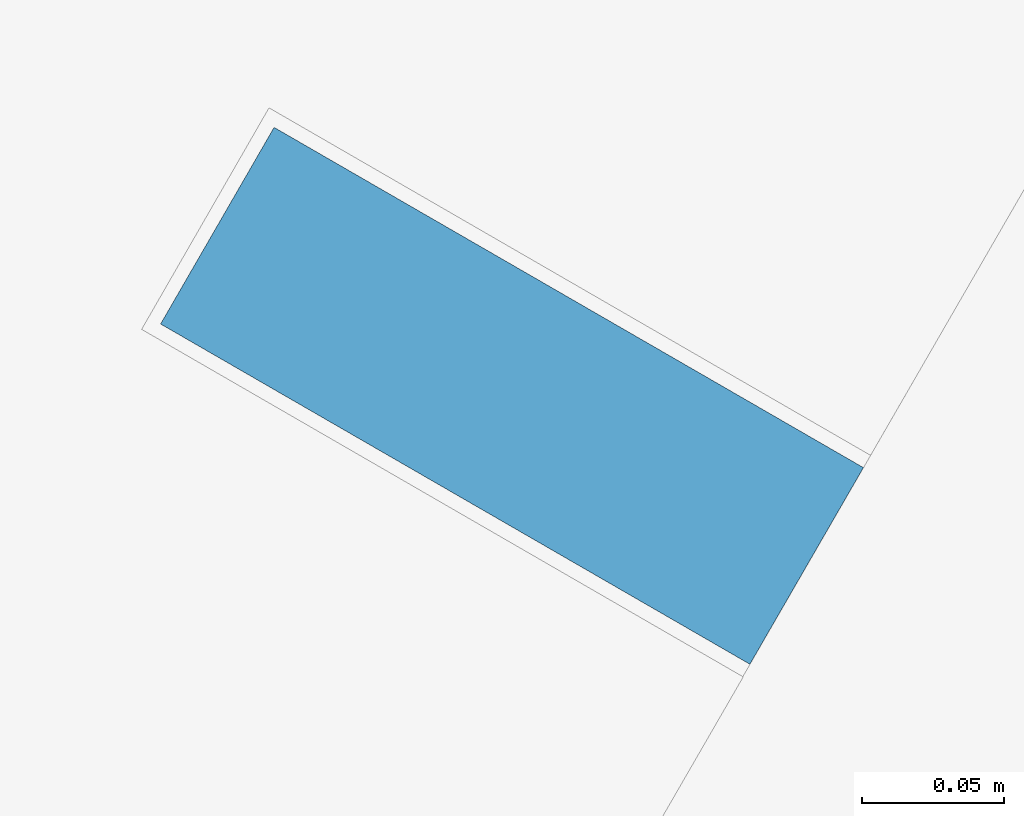
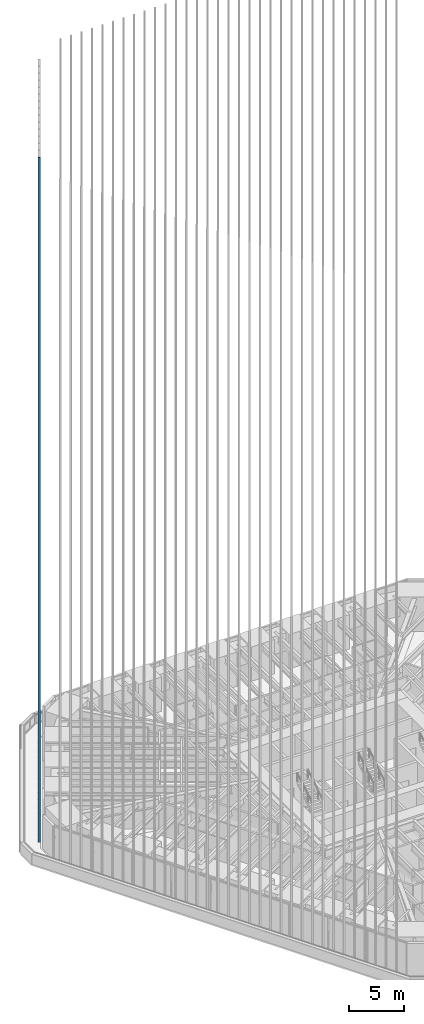
# One storey, part 124 of 238: 1 member, 1 element without a shape of its own.
"""IFC4 building model written with IfcOpenShell, lengths in metres."""

from ifc_helpers import new_model, si_unit, direction, frame, origin, origin_2d, place, context, subcontext, project, spatial, rectangle, extrude, material, material_profile, profile_set, type_object, element, aggregate, save


model = new_model("IFC4")

# Units and contexts
model_context = context("Model", 3, precision=1e-05, world=origin(), true_north=direction((0.0, 1.0)))
body_context = subcontext(model_context, "Body", "Model", "MODEL_VIEW")
ifc_project = project(units=[si_unit("LENGTHUNIT", "METRE"), si_unit("AREAUNIT", "SQUARE_METRE"), si_unit("VOLUMEUNIT", "CUBIC_METRE"), si_unit("PLANEANGLEUNIT", "RADIAN"), si_unit("MASSUNIT", "GRAM", prefix="KILO")], contexts=[model_context])

# Site, building, storey
site_placement = place(None, origin())
site = spatial("IfcSite", under=ifc_project, at=site_placement, CompositionType="ELEMENT")
building_placement = place(site_placement, origin())
building = spatial("IfcBuilding", under=site, at=building_placement, Name="Sandreach Pilgrim Tower", CompositionType="ELEMENT")
storey_placement = place(building_placement, frame((0.0, 0.0, 96.800048828125)))
storey = spatial("IfcBuildingStorey", under=building, at=storey_placement, Name="L23", CompositionType="ELEMENT", Elevation=96.800048828125)

# Curtain wall, member
ifc_material_1 = material(Name="Aluminium framed curtain wall", Category="aluminium")
curtain_wall_type = type_object("IfcCurtainWallType", Name="Hotel tower curtain wall", PredefinedType="NOTDEFINED", material=ifc_material_1)
curtain_wall_placement = place(storey_placement, origin())
curtain_wall = element("IfcCurtainWall", 1, at=curtain_wall_placement, inside=storey, type_object=curtain_wall_type, Name="CW-2 L23 NW", PredefinedType="NOTDEFINED")
ifc_material_2 = material(Name="Extruded terracotta on aluminium core", Category="masonry")
ifc_material_profile = material_profile(ifc_material_2, rectangle(XDim=0.080078125, YDim=0.239990234375, at=origin_2d()), Name="TBW 80X240")
ifc_profile_set = profile_set([ifc_material_profile], Name="Extruded terracotta on aluminium core")
member_type = type_object("IfcMemberType", Name="Terracotta baguette west", PredefinedType="USERDEFINED", material=ifc_profile_set)
member_placement = place(storey_placement, frame((-28.652587890625, 7.596923828125, 0.0), z_axis=(0.0, 0.0, 1.0), x_axis=(0.5, 0.866025403784, 0.0)))
member = element("IfcMember", 2, at=member_placement, type_object=member_type, Name="Baguette Z2 NW01", ObjectType="BAGUETTE", PredefinedType="USERDEFINED", context=body_context, shape_type="SweptSolid", body=[
    extrude(rectangle(XDim=0.080078125, YDim=0.239990234375, at=origin_2d()), origin(), (0.0, 0.0, 1.0), 75.83984375),
])
aggregate(curtain_wall, [member])

save(model, "model.ifc")
